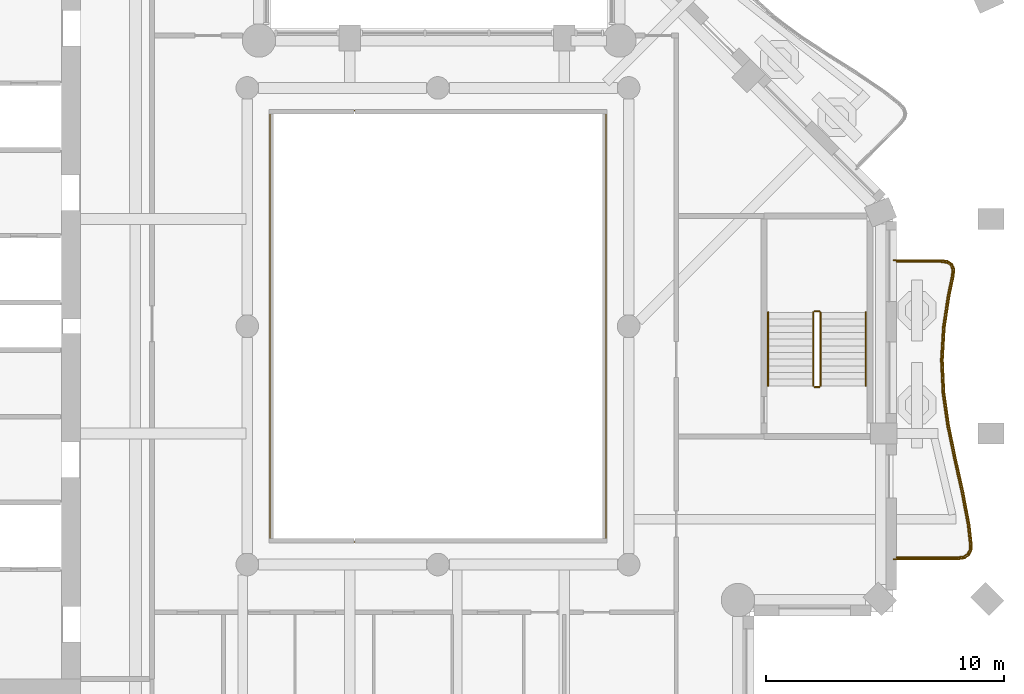
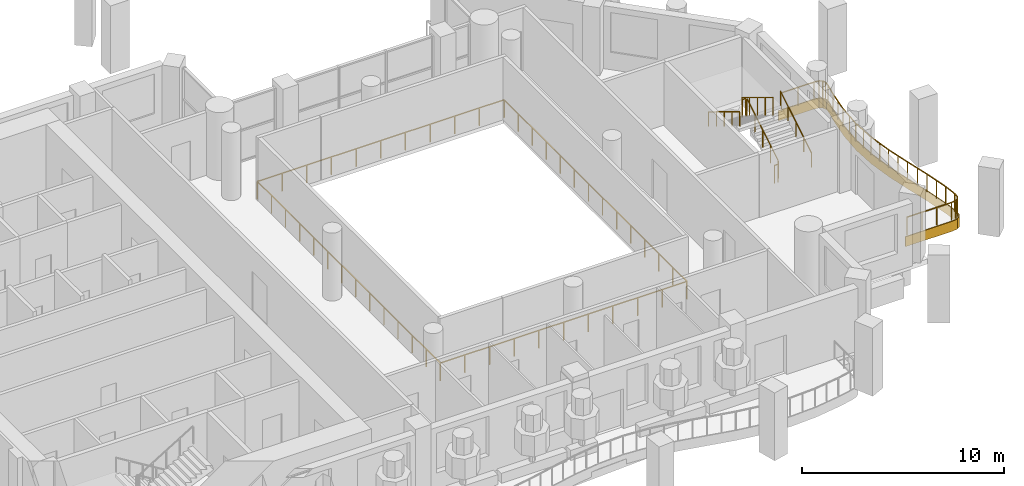
# One storey, part 13 of 16: 8 railings, 1 covering.
"""IFC4 building model written with IfcOpenShell, lengths in metres."""

from ifc_helpers import new_model, si_unit, direction, frame, origin, origin_2d, place, context, subcontext, project, spatial, polyline, rectangle, outline, extrude, material, layer, layer_set, type_object, element, save


model = new_model("IFC4")

# Units and contexts
model_context = context("Model", 3, precision=1e-05, world=origin(), true_north=direction((0.0, 1.0)))
body_context = subcontext(model_context, "Body", "Model", "MODEL_VIEW")
ifc_project = project(units=[si_unit("LENGTHUNIT", "METRE"), si_unit("AREAUNIT", "SQUARE_METRE"), si_unit("VOLUMEUNIT", "CUBIC_METRE"), si_unit("PLANEANGLEUNIT", "RADIAN"), si_unit("MASSUNIT", "GRAM", prefix="KILO")], contexts=[model_context])

# Site, building, storey
site_placement = place(None, origin())
site = spatial("IfcSite", under=ifc_project, at=site_placement, CompositionType="ELEMENT")
building_placement = place(site_placement, origin())
building = spatial("IfcBuilding", under=site, at=building_placement, Name="Cypress Arch Tower", CompositionType="ELEMENT")
storey_placement = place(building_placement, frame((0.0, 0.0, 172.800048828125)))
storey = spatial("IfcBuildingStorey", under=building, at=storey_placement, Name="L37", CompositionType="ELEMENT", Elevation=172.800048828125)

# Railing
ifc_material_1 = material(Name="Stainless steel posts and handrail, laminated glass infill", Category="steel")
railing_type_1 = type_object("IfcRailingType", Name="Atrium guard GR1100A", PredefinedType="GUARDRAIL", material=ifc_material_1)
railing_1_placement = place(storey_placement, frame((8.050048828125, -9.050048828125, 0.0)))
element("IfcRailing", 1, at=railing_1_placement, inside=storey, type_object=railing_type_1, Name="Atrium guard L37", PredefinedType="GUARDRAIL", context=body_context, shape_type="SweptSolid", body=[
    extrude(rectangle(XDim=0.050048828125, YDim=0.050048828125, at=origin_2d()), frame((0.0, 0.0, 1.0751953125), z_axis=(-1.0, 0.0, 0.0), x_axis=(0.0, -1.0, 0.0)), (0.0, 0.0, 1.0), 14.10009765625),
    extrude(rectangle(XDim=0.050048828125, YDim=0.050048828125, at=origin_2d()), frame((-14.10009765625, 0.0, 1.0751953125), z_axis=(0.0, 1.0, 0.0), x_axis=(-1.0, 0.0, 0.0)), (0.0, 0.0, 1.0), 18.10009765625),
    extrude(rectangle(XDim=0.050048828125, YDim=0.050048828125, at=origin_2d()), frame((-14.10009765625, 18.10009765625, 1.0751953125), z_axis=(1.0, 0.0, 0.0), x_axis=(0.0, 1.0, 0.0)), (0.0, 0.0, 1.0), 14.10009765625),
    extrude(rectangle(XDim=0.050048828125, YDim=0.050048828125, at=origin_2d()), frame((0.0, 18.10009765625, 1.0751953125), z_axis=(0.0, -1.0, 0.0), x_axis=(1.0, 0.0, 0.0)), (0.0, 0.0, 1.0), 18.10009765625),
    extrude(rectangle(XDim=0.050048828125, YDim=0.050048828125, at=origin_2d()), origin(), (0.0, 0.0, 1.0), 1.050048828125),
    extrude(rectangle(XDim=0.050048828125, YDim=0.050048828125, at=origin_2d()), frame((-1.409912109375, 0.0, 0.0)), (0.0, 0.0, 1.0), 1.050048828125),
    extrude(rectangle(XDim=0.050048828125, YDim=0.050048828125, at=origin_2d()), frame((-2.820068359375, 0.0, 0.0)), (0.0, 0.0, 1.0), 1.050048828125),
    extrude(rectangle(XDim=0.050048828125, YDim=0.050048828125, at=origin_2d()), frame((-4.22998046875, 0.0, 0.0)), (0.0, 0.0, 1.0), 1.050048828125),
    extrude(rectangle(XDim=0.050048828125, YDim=0.050048828125, at=origin_2d()), frame((-5.64013671875, 0.0, 0.0)), (0.0, 0.0, 1.0), 1.050048828125),
    extrude(rectangle(XDim=0.050048828125, YDim=0.050048828125, at=origin_2d()), frame((-7.050048828125, 0.0, 0.0)), (0.0, 0.0, 1.0), 1.050048828125),
    extrude(rectangle(XDim=0.050048828125, YDim=0.050048828125, at=origin_2d()), frame((-8.4599609375, 0.0, 0.0)), (0.0, 0.0, 1.0), 1.050048828125),
    extrude(rectangle(XDim=0.050048828125, YDim=0.050048828125, at=origin_2d()), frame((-9.8701171875, 0.0, 0.0)), (0.0, 0.0, 1.0), 1.050048828125),
    extrude(rectangle(XDim=0.050048828125, YDim=0.050048828125, at=origin_2d()), frame((-11.280029296875, 0.0, 0.0)), (0.0, 0.0, 1.0), 1.050048828125),
    extrude(rectangle(XDim=0.050048828125, YDim=0.050048828125, at=origin_2d()), frame((-12.690185546875, 0.0, 0.0)), (0.0, 0.0, 1.0), 1.050048828125),
    extrude(rectangle(XDim=0.050048828125, YDim=0.050048828125, at=origin_2d()), frame((-14.10009765625, 0.0, 0.0)), (0.0, 0.0, 1.0), 1.050048828125),
    extrude(rectangle(XDim=0.050048828125, YDim=0.050048828125, at=origin_2d()), frame((-14.10009765625, 1.392333984375, 0.0)), (0.0, 0.0, 1.0), 1.050048828125),
    extrude(rectangle(XDim=0.050048828125, YDim=0.050048828125, at=origin_2d()), frame((-14.10009765625, 2.78466796875, 0.0)), (0.0, 0.0, 1.0), 1.050048828125),
    extrude(rectangle(XDim=0.050048828125, YDim=0.050048828125, at=origin_2d()), frame((-14.10009765625, 4.177001953125, 0.0)), (0.0, 0.0, 1.0), 1.050048828125),
    extrude(rectangle(XDim=0.050048828125, YDim=0.050048828125, at=origin_2d()), frame((-14.10009765625, 5.5693359375, 0.0)), (0.0, 0.0, 1.0), 1.050048828125),
    extrude(rectangle(XDim=0.050048828125, YDim=0.050048828125, at=origin_2d()), frame((-14.10009765625, 6.961669921875, 0.0)), (0.0, 0.0, 1.0), 1.050048828125),
    extrude(rectangle(XDim=0.050048828125, YDim=0.050048828125, at=origin_2d()), frame((-14.10009765625, 8.35400390625, 0.0)), (0.0, 0.0, 1.0), 1.050048828125),
    extrude(rectangle(XDim=0.050048828125, YDim=0.050048828125, at=origin_2d()), frame((-14.10009765625, 9.74609375, 0.0)), (0.0, 0.0, 1.0), 1.050048828125),
    extrude(rectangle(XDim=0.050048828125, YDim=0.050048828125, at=origin_2d()), frame((-14.10009765625, 11.138427734375, 0.0)), (0.0, 0.0, 1.0), 1.050048828125),
    extrude(rectangle(XDim=0.050048828125, YDim=0.050048828125, at=origin_2d()), frame((-14.10009765625, 12.53076171875, 0.0)), (0.0, 0.0, 1.0), 1.050048828125),
    extrude(rectangle(XDim=0.050048828125, YDim=0.050048828125, at=origin_2d()), frame((-14.10009765625, 13.923095703125, 0.0)), (0.0, 0.0, 1.0), 1.050048828125),
    extrude(rectangle(XDim=0.050048828125, YDim=0.050048828125, at=origin_2d()), frame((-14.10009765625, 15.3154296875, 0.0)), (0.0, 0.0, 1.0), 1.050048828125),
    extrude(rectangle(XDim=0.050048828125, YDim=0.050048828125, at=origin_2d()), frame((-14.10009765625, 16.707763671875, 0.0)), (0.0, 0.0, 1.0), 1.050048828125),
    extrude(rectangle(XDim=0.050048828125, YDim=0.050048828125, at=origin_2d()), frame((-14.10009765625, 18.10009765625, 0.0)), (0.0, 0.0, 1.0), 1.050048828125),
    extrude(rectangle(XDim=0.050048828125, YDim=0.050048828125, at=origin_2d()), frame((-12.690185546875, 18.10009765625, 0.0)), (0.0, 0.0, 1.0), 1.050048828125),
    extrude(rectangle(XDim=0.050048828125, YDim=0.050048828125, at=origin_2d()), frame((-11.280029296875, 18.10009765625, 0.0)), (0.0, 0.0, 1.0), 1.050048828125),
    extrude(rectangle(XDim=0.050048828125, YDim=0.050048828125, at=origin_2d()), frame((-9.8701171875, 18.10009765625, 0.0)), (0.0, 0.0, 1.0), 1.050048828125),
    extrude(rectangle(XDim=0.050048828125, YDim=0.050048828125, at=origin_2d()), frame((-8.4599609375, 18.10009765625, 0.0)), (0.0, 0.0, 1.0), 1.050048828125),
    extrude(rectangle(XDim=0.050048828125, YDim=0.050048828125, at=origin_2d()), frame((-7.050048828125, 18.10009765625, 0.0)), (0.0, 0.0, 1.0), 1.050048828125),
    extrude(rectangle(XDim=0.050048828125, YDim=0.050048828125, at=origin_2d()), frame((-5.64013671875, 18.10009765625, 0.0)), (0.0, 0.0, 1.0), 1.050048828125),
    extrude(rectangle(XDim=0.050048828125, YDim=0.050048828125, at=origin_2d()), frame((-4.22998046875, 18.10009765625, 0.0)), (0.0, 0.0, 1.0), 1.050048828125),
    extrude(rectangle(XDim=0.050048828125, YDim=0.050048828125, at=origin_2d()), frame((-2.820068359375, 18.10009765625, 0.0)), (0.0, 0.0, 1.0), 1.050048828125),
    extrude(rectangle(XDim=0.050048828125, YDim=0.050048828125, at=origin_2d()), frame((-1.409912109375, 18.10009765625, 0.0)), (0.0, 0.0, 1.0), 1.050048828125),
    extrude(rectangle(XDim=0.050048828125, YDim=0.050048828125, at=origin_2d()), frame((0.0, 18.10009765625, 0.0)), (0.0, 0.0, 1.0), 1.050048828125),
    extrude(rectangle(XDim=0.050048828125, YDim=0.050048828125, at=origin_2d()), frame((0.0, 16.707763671875, 0.0)), (0.0, 0.0, 1.0), 1.050048828125),
    extrude(rectangle(XDim=0.050048828125, YDim=0.050048828125, at=origin_2d()), frame((0.0, 15.3154296875, 0.0)), (0.0, 0.0, 1.0), 1.050048828125),
    extrude(rectangle(XDim=0.050048828125, YDim=0.050048828125, at=origin_2d()), frame((0.0, 13.923095703125, 0.0)), (0.0, 0.0, 1.0), 1.050048828125),
    extrude(rectangle(XDim=0.050048828125, YDim=0.050048828125, at=origin_2d()), frame((0.0, 12.53076171875, 0.0)), (0.0, 0.0, 1.0), 1.050048828125),
    extrude(rectangle(XDim=0.050048828125, YDim=0.050048828125, at=origin_2d()), frame((0.0, 11.138427734375, 0.0)), (0.0, 0.0, 1.0), 1.050048828125),
    extrude(rectangle(XDim=0.050048828125, YDim=0.050048828125, at=origin_2d()), frame((0.0, 9.74609375, 0.0)), (0.0, 0.0, 1.0), 1.050048828125),
    extrude(rectangle(XDim=0.050048828125, YDim=0.050048828125, at=origin_2d()), frame((0.0, 8.35400390625, 0.0)), (0.0, 0.0, 1.0), 1.050048828125),
    extrude(rectangle(XDim=0.050048828125, YDim=0.050048828125, at=origin_2d()), frame((0.0, 6.961669921875, 0.0)), (0.0, 0.0, 1.0), 1.050048828125),
    extrude(rectangle(XDim=0.050048828125, YDim=0.050048828125, at=origin_2d()), frame((0.0, 5.5693359375, 0.0)), (0.0, 0.0, 1.0), 1.050048828125),
    extrude(rectangle(XDim=0.050048828125, YDim=0.050048828125, at=origin_2d()), frame((0.0, 4.177001953125, 0.0)), (0.0, 0.0, 1.0), 1.050048828125),
    extrude(rectangle(XDim=0.050048828125, YDim=0.050048828125, at=origin_2d()), frame((0.0, 2.78466796875, 0.0)), (0.0, 0.0, 1.0), 1.050048828125),
    extrude(rectangle(XDim=0.050048828125, YDim=0.050048828125, at=origin_2d()), frame((0.0, 1.392333984375, 0.0)), (0.0, 0.0, 1.0), 1.050048828125),
])

# Covering
ifc_material_2 = material(Name="White powder-coated aluminium fascia", Category="aluminium")
ifc_layer = layer(ifc_material_2, 0.050048828125)
ifc_layer_set = layer_set([ifc_layer], Name="Balcony fascia BF50")
covering_type = type_object("IfcCoveringType", Name="Balcony fascia BF50", PredefinedType="CLADDING", material=ifc_layer_set)
covering_placement = place(storey_placement, frame((0.0, 0.0, -0.60009765625)))
element("IfcCovering", 2, at=covering_placement, inside=storey, type_object=covering_type, Name="Balcony fascia L37-B04", PredefinedType="CLADDING", context=body_context, shape_type="SweptSolid", body=[
    extrude(outline(polyline([(22.1142578125, 2.800048828125), (22.400390625, 2.7587890625), (22.597412109375, 2.626708984375), (22.685546875, 2.406494140625), (22.66650390625, 2.1181640625), (22.503662109375, 1.35205078125), (22.2900390625, -0.033203125), (22.206787109375, -1.4169921875), (22.2724609375, -2.80078125), (22.472412109375, -4.185791015625), (22.760986328125, -5.57275390625), (23.07177734375, -6.962158203125), (23.3330078125, -8.353759765625), (23.41650390625, -9.123291015625), (23.40625, -9.410888671875), (23.298583984375, -9.62841796875), (23.09423828125, -9.7587890625), (22.80908203125, -9.800048828125), (20.10107421875, -9.800048828125), (20.10107421875, -9.75), (22.805419921875, -9.75), (23.076416015625, -9.7109375), (23.260009765625, -9.59375), (23.356689453125, -9.3984375), (23.366455078125, -9.125), (23.283447265625, -8.361083984375), (23.022705078125, -6.97216796875), (22.712158203125, -5.583251953125), (22.42333984375, -4.1943359375), (22.22265625, -2.8056640625), (22.156494140625, -1.416748046875), (22.240234375, -0.02783203125), (22.454345703125, 1.361083984375), (22.616943359375, 2.125), (22.635009765625, 2.3984375), (22.556640625, 2.59375), (22.382080078125, 2.7109375), (22.11083984375, 2.75), (20.10107421875, 2.75), (20.10107421875, 2.800048828125), (22.1142578125, 2.800048828125)])), origin(), (0.0, 0.0, 1.0), 0.60009765625),
])

# Railings
ifc_material_3 = material(Name="Powder-coated steel posts and rods, 100 mm clear between rods", Category="steel")
railing_type_2 = type_object("IfcRailingType", Name="Balcony guard GR1100", PredefinedType="GUARDRAIL", material=ifc_material_3)
railing_2_placement = place(storey_placement, frame((20.25, 2.699951171875, 0.0)))
element("IfcRailing", 3, at=railing_2_placement, inside=storey, type_object=railing_type_2, Name="Balcony guard L37-B04", PredefinedType="GUARDRAIL", context=body_context, shape_type="SweptSolid", body=[
    extrude(rectangle(XDim=0.050048828125, YDim=0.050048828125, at=origin_2d()), frame((0.0, 0.0, 1.0751953125), z_axis=(1.0, 0.0, 0.0), x_axis=(0.0, 1.0, 0.0)), (0.0, 0.0, 1.0), 1.857177734375),
    extrude(rectangle(XDim=0.050048828125, YDim=0.050048828125, at=origin_2d()), frame((1.857177734375, 0.0, 1.0751953125), z_axis=(0.989817086987, -0.142345123938, 0.0), x_axis=(0.142345123938, 0.989817086987, 0.0)), (0.0, 0.0, 1.0), 0.259033203125),
    extrude(rectangle(XDim=0.050048828125, YDim=0.050048828125, at=origin_2d()), frame((2.113525390625, -0.036865234375, 1.0751953125), z_axis=(0.830616308964, -0.556845173529, 0.0), x_axis=(0.556845173529, 0.830616308964, 0.0)), (0.0, 0.0, 1.0), 0.18359375),
    extrude(rectangle(XDim=0.050048828125, YDim=0.050048828125, at=origin_2d()), frame((2.26611328125, -0.13916015625, 1.0751953125), z_axis=(0.372307508784, -0.928109432612, 0.0), x_axis=(0.928109432612, 0.372307508784, 0.0)), (0.0, 0.0, 1.0), 0.18359375),
    extrude(rectangle(XDim=0.050048828125, YDim=0.050048828125, at=origin_2d()), frame((2.33447265625, -0.3095703125, 1.0751953125), z_axis=(-0.066894207032, -0.997760073898, 0.0), x_axis=(0.997760073898, -0.066894207032, 0.0)), (0.0, 0.0, 1.0), 0.259033203125),
    extrude(rectangle(XDim=0.050048828125, YDim=0.050048828125, at=origin_2d()), frame((2.317138671875, -0.568115234375, 1.0751953125), z_axis=(-0.20785875582, -0.978158850918, 0.0), x_axis=(0.978158850918, -0.20785875582, 0.0)), (0.0, 0.0, 1.0), 0.77880859375),
    extrude(rectangle(XDim=0.050048828125, YDim=0.050048828125, at=origin_2d()), frame((2.1552734375, -1.329833984375, 1.0751953125), z_axis=(-0.152473809635, -0.988307511545, 0.0), x_axis=(0.988307511545, -0.152473809635, 0.0)), (0.0, 0.0, 1.0), 1.408935546875),
    extrude(rectangle(XDim=0.050048828125, YDim=0.050048828125, at=origin_2d()), frame((1.9404296875, -2.722412109375, 1.0751953125), z_axis=(-0.060146646654, -0.998189551586, 0.0), x_axis=(0.998189551586, -0.060146646654, 0.0)), (0.0, 0.0, 1.0), 1.396240234375),
    extrude(rectangle(XDim=0.050048828125, YDim=0.050048828125, at=origin_2d()), frame((1.8564453125, -4.1162109375, 1.0751953125), z_axis=(0.047581772, -0.998867346034, 0.0), x_axis=(0.998867346034, 0.047581772, 0.0)), (0.0, 0.0, 1.0), 1.3955078125),
    extrude(rectangle(XDim=0.050048828125, YDim=0.050048828125, at=origin_2d()), frame((1.9228515625, -5.51025390625, 1.0751953125), z_axis=(0.142951321595, -0.989729720507, 0.0), x_axis=(0.989729720507, 0.142951321595, 0.0)), (0.0, 0.0, 1.0), 1.4072265625),
    extrude(rectangle(XDim=0.050048828125, YDim=0.050048828125, at=origin_2d()), frame((2.1240234375, -6.903076171875, 1.0751953125), z_axis=(0.203645423844, -0.979044708554, 0.0), x_axis=(0.979044708554, 0.203645423844, 0.0)), (0.0, 0.0, 1.0), 1.420654296875),
    extrude(rectangle(XDim=0.050048828125, YDim=0.050048828125, at=origin_2d()), frame((2.413330078125, -8.2939453125, 1.0751953125), z_axis=(0.218147886849, -0.975915723545, 0.0), x_axis=(0.975915723545, 0.218147886849, 0.0)), (0.0, 0.0, 1.0), 1.42236328125),
    extrude(rectangle(XDim=0.050048828125, YDim=0.050048828125, at=origin_2d()), frame((2.7236328125, -9.68212890625, 1.0751953125), z_axis=(0.184518451403, -0.98282904978, 0.0), x_axis=(0.98282904978, 0.184518451403, 0.0)), (0.0, 0.0, 1.0), 1.410400390625),
    extrude(rectangle(XDim=0.050048828125, YDim=0.050048828125, at=origin_2d()), frame((2.98388671875, -11.068359375, 1.0751953125), z_axis=(0.107866623042, -0.994165374389, 0.0), x_axis=(0.994165374389, 0.107866623042, 0.0)), (0.0, 0.0, 1.0), 0.7626953125),
    extrude(rectangle(XDim=0.050048828125, YDim=0.050048828125, at=origin_2d()), frame((3.066162109375, -11.82666015625, 1.0751953125), z_axis=(-0.034818799196, -0.999393641776, 0.0), x_axis=(0.999393641776, -0.034818799196, 0.0)), (0.0, 0.0, 1.0), 0.259521484375),
    extrude(rectangle(XDim=0.050048828125, YDim=0.050048828125, at=origin_2d()), frame((3.05712890625, -12.0859375, 1.0751953125), z_axis=(-0.443670839711, -0.896189815826, 0.0), x_axis=(0.896189815826, -0.443670839711, 0.0)), (0.0, 0.0, 1.0), 0.193115234375),
    extrude(rectangle(XDim=0.050048828125, YDim=0.050048828125, at=origin_2d()), frame((2.971435546875, -12.259033203125, 1.0751953125), z_axis=(-0.842775870424, -0.538264648877, 0.0), x_axis=(0.538264648877, -0.842775870424, 0.0)), (0.0, 0.0, 1.0), 0.193115234375),
    extrude(rectangle(XDim=0.050048828125, YDim=0.050048828125, at=origin_2d()), frame((2.80859375, -12.363037109375, 1.0751953125), z_axis=(-0.989836161054, -0.142212426564, 0.0), x_axis=(0.142212426564, -0.989836161054, 0.0)), (0.0, 0.0, 1.0), 0.25927734375),
    extrude(rectangle(XDim=0.050048828125, YDim=0.050048828125, at=origin_2d()), frame((2.552001953125, -12.39990234375, 1.0751953125), z_axis=(-1.0, 0.0, 0.0), x_axis=(0.0, -1.0, 0.0)), (0.0, 0.0, 1.0), 2.552001953125),
    extrude(rectangle(XDim=0.0400390625, YDim=0.0400390625, at=origin_2d()), origin(), (0.0, 0.0, 1.0), 1.050048828125),
    extrude(rectangle(XDim=0.0400390625, YDim=0.0400390625, at=origin_2d()), frame((0.9287109375, 0.0, 0.0)), (0.0, 0.0, 1.0), 1.050048828125),
    extrude(rectangle(XDim=0.0400390625, YDim=0.0400390625, at=origin_2d()), frame((1.857177734375, 0.0, 0.0)), (0.0, 0.0, 1.0), 1.050048828125),
    extrude(rectangle(XDim=0.0400390625, YDim=0.0400390625, at=origin_2d()), frame((2.113525390625, -0.036865234375, 0.0)), (0.0, 0.0, 1.0), 1.050048828125),
    extrude(rectangle(XDim=0.0400390625, YDim=0.0400390625, at=origin_2d()), frame((2.26611328125, -0.13916015625, 0.0)), (0.0, 0.0, 1.0), 1.050048828125),
    extrude(rectangle(XDim=0.0400390625, YDim=0.0400390625, at=origin_2d()), frame((2.33447265625, -0.3095703125, 0.0)), (0.0, 0.0, 1.0), 1.050048828125),
    extrude(rectangle(XDim=0.0400390625, YDim=0.0400390625, at=origin_2d()), frame((2.317138671875, -0.568115234375, 0.0)), (0.0, 0.0, 1.0), 1.050048828125),
    extrude(rectangle(XDim=0.0400390625, YDim=0.0400390625, at=origin_2d()), frame((2.1552734375, -1.329833984375, 0.0)), (0.0, 0.0, 1.0), 1.050048828125),
    extrude(rectangle(XDim=0.0400390625, YDim=0.0400390625, at=origin_2d()), frame((2.0478515625, -2.026123046875, 0.0)), (0.0, 0.0, 1.0), 1.050048828125),
    extrude(rectangle(XDim=0.0400390625, YDim=0.0400390625, at=origin_2d()), frame((1.9404296875, -2.722412109375, 0.0)), (0.0, 0.0, 1.0), 1.050048828125),
    extrude(rectangle(XDim=0.0400390625, YDim=0.0400390625, at=origin_2d()), frame((1.8984375, -3.41943359375, 0.0)), (0.0, 0.0, 1.0), 1.050048828125),
    extrude(rectangle(XDim=0.0400390625, YDim=0.0400390625, at=origin_2d()), frame((1.8564453125, -4.1162109375, 0.0)), (0.0, 0.0, 1.0), 1.050048828125),
    extrude(rectangle(XDim=0.0400390625, YDim=0.0400390625, at=origin_2d()), frame((1.8896484375, -4.813232421875, 0.0)), (0.0, 0.0, 1.0), 1.050048828125),
    extrude(rectangle(XDim=0.0400390625, YDim=0.0400390625, at=origin_2d()), frame((1.9228515625, -5.51025390625, 0.0)), (0.0, 0.0, 1.0), 1.050048828125),
    extrude(rectangle(XDim=0.0400390625, YDim=0.0400390625, at=origin_2d()), frame((2.0234375, -6.20654296875, 0.0)), (0.0, 0.0, 1.0), 1.050048828125),
    extrude(rectangle(XDim=0.0400390625, YDim=0.0400390625, at=origin_2d()), frame((2.1240234375, -6.903076171875, 0.0)), (0.0, 0.0, 1.0), 1.050048828125),
    extrude(rectangle(XDim=0.0400390625, YDim=0.0400390625, at=origin_2d()), frame((2.2685546875, -7.5986328125, 0.0)), (0.0, 0.0, 1.0), 1.050048828125),
    extrude(rectangle(XDim=0.0400390625, YDim=0.0400390625, at=origin_2d()), frame((2.413330078125, -8.2939453125, 0.0)), (0.0, 0.0, 1.0), 1.050048828125),
    extrude(rectangle(XDim=0.0400390625, YDim=0.0400390625, at=origin_2d()), frame((2.568359375, -8.988037109375, 0.0)), (0.0, 0.0, 1.0), 1.050048828125),
    extrude(rectangle(XDim=0.0400390625, YDim=0.0400390625, at=origin_2d()), frame((2.7236328125, -9.68212890625, 0.0)), (0.0, 0.0, 1.0), 1.050048828125),
    extrude(rectangle(XDim=0.0400390625, YDim=0.0400390625, at=origin_2d()), frame((2.853759765625, -10.375244140625, 0.0)), (0.0, 0.0, 1.0), 1.050048828125),
    extrude(rectangle(XDim=0.0400390625, YDim=0.0400390625, at=origin_2d()), frame((2.98388671875, -11.068359375, 0.0)), (0.0, 0.0, 1.0), 1.050048828125),
    extrude(rectangle(XDim=0.0400390625, YDim=0.0400390625, at=origin_2d()), frame((3.066162109375, -11.82666015625, 0.0)), (0.0, 0.0, 1.0), 1.050048828125),
    extrude(rectangle(XDim=0.0400390625, YDim=0.0400390625, at=origin_2d()), frame((3.05712890625, -12.0859375, 0.0)), (0.0, 0.0, 1.0), 1.050048828125),
    extrude(rectangle(XDim=0.0400390625, YDim=0.0400390625, at=origin_2d()), frame((2.971435546875, -12.259033203125, 0.0)), (0.0, 0.0, 1.0), 1.050048828125),
    extrude(rectangle(XDim=0.0400390625, YDim=0.0400390625, at=origin_2d()), frame((2.80859375, -12.363037109375, 0.0)), (0.0, 0.0, 1.0), 1.050048828125),
    extrude(rectangle(XDim=0.0400390625, YDim=0.0400390625, at=origin_2d()), frame((2.552001953125, -12.39990234375, 0.0)), (0.0, 0.0, 1.0), 1.050048828125),
    extrude(rectangle(XDim=0.0400390625, YDim=0.0400390625, at=origin_2d()), frame((1.701416015625, -12.39990234375, 0.0)), (0.0, 0.0, 1.0), 1.050048828125),
    extrude(rectangle(XDim=0.0400390625, YDim=0.0400390625, at=origin_2d()), frame((0.8505859375, -12.39990234375, 0.0)), (0.0, 0.0, 1.0), 1.050048828125),
    extrude(rectangle(XDim=0.0400390625, YDim=0.0400390625, at=origin_2d()), frame((0.0, -12.39990234375, 0.0)), (0.0, 0.0, 1.0), 1.050048828125),
])
ifc_material_4 = material(Name="Black powder-coated steel square bar 48 mm", Category="steel")
railing_type_3 = type_object("IfcRailingType", Name="Stair handrail HR1", PredefinedType="HANDRAIL", material=ifc_material_4)
railing_3_placement = place(storey_placement, frame((18.949951171875, -2.5, 0.1708984375)))
element("IfcRailing", 4, at=railing_3_placement, inside=storey, type_object=railing_type_3, Name="L37 C stair handrail 1", PredefinedType="HANDRAIL", context=body_context, shape_type="SweptSolid", body=[
    extrude(rectangle(XDim=0.048095703125, YDim=0.048095703125, at=origin_2d()), frame((0.0, 0.0, 0.8759765625), z_axis=(0.0, 0.853666305674, 0.52082035152), x_axis=(-1.0, 0.0, 0.0)), (0.0, 0.0, 1.0), 3.608154296875),
    extrude(rectangle(XDim=0.0419921875, YDim=0.0419921875, at=origin_2d()), origin(), (0.0, 0.0, 1.0), 0.851806640625),
    extrude(rectangle(XDim=0.0419921875, YDim=0.0419921875, at=origin_2d()), frame((0.0, 0.77001953125, 0.4697265625)), (0.0, 0.0, 1.0), 0.851806640625),
    extrude(rectangle(XDim=0.0419921875, YDim=0.0419921875, at=origin_2d()), frame((0.0, 1.5400390625, 0.939453125)), (0.0, 0.0, 1.0), 0.851806640625),
    extrude(rectangle(XDim=0.0419921875, YDim=0.0419921875, at=origin_2d()), frame((0.0, 2.31005859375, 1.409423828125)), (0.0, 0.0, 1.0), 0.851806640625),
    extrude(rectangle(XDim=0.0419921875, YDim=0.0419921875, at=origin_2d()), frame((0.0, 3.080078125, 1.879150390625)), (0.0, 0.0, 1.0), 0.851806640625),
])
railing_4_placement = place(storey_placement, frame((14.85009765625, 0.580078125, 2.220703125)))
element("IfcRailing", 5, at=railing_4_placement, inside=storey, type_object=railing_type_3, Name="L37 C stair handrail 2", PredefinedType="HANDRAIL", context=body_context, shape_type="SweptSolid", body=[
    extrude(rectangle(XDim=0.048095703125, YDim=0.048095703125, at=origin_2d()), frame((0.0, 0.0, 0.8759765625), z_axis=(0.0, -0.853666305674, 0.52082035152), x_axis=(1.0, 0.0, 0.0)), (0.0, 0.0, 1.0), 3.608154296875),
    extrude(rectangle(XDim=0.0419921875, YDim=0.0419921875, at=origin_2d()), origin(), (0.0, 0.0, 1.0), 0.851806640625),
    extrude(rectangle(XDim=0.0419921875, YDim=0.0419921875, at=origin_2d()), frame((0.0, -0.77001953125, 0.4697265625)), (0.0, 0.0, 1.0), 0.851806640625),
    extrude(rectangle(XDim=0.0419921875, YDim=0.0419921875, at=origin_2d()), frame((0.0, -1.5400390625, 0.939453125)), (0.0, 0.0, 1.0), 0.851806640625),
    extrude(rectangle(XDim=0.0419921875, YDim=0.0419921875, at=origin_2d()), frame((0.0, -2.31005859375, 1.409423828125)), (0.0, 0.0, 1.0), 0.851806640625),
    extrude(rectangle(XDim=0.0419921875, YDim=0.0419921875, at=origin_2d()), frame((0.0, -3.080078125, 1.879150390625)), (0.0, 0.0, 1.0), 0.851806640625),
])
ifc_material_5 = material(Name="Black powder-coated steel balusters", Category="steel")
railing_type_4 = type_object("IfcRailingType", Name="Stair well guard G1", PredefinedType="GUARDRAIL", material=ifc_material_5)
railing_5_placement = place(storey_placement, frame((17.050048828125, -2.5, 0.1708984375)))
element("IfcRailing", 6, at=railing_5_placement, inside=storey, type_object=railing_type_4, Name="L37 C stair guard 1", PredefinedType="GUARDRAIL", context=body_context, shape_type="SweptSolid", body=[
    extrude(rectangle(XDim=0.048095703125, YDim=0.048095703125, at=origin_2d()), frame((0.0, 0.0, 1.076171875), z_axis=(0.0, 0.853666305674, 0.52082035152), x_axis=(-1.0, 0.0, 0.0)), (0.0, 0.0, 1.0), 3.608154296875),
    extrude(rectangle(XDim=0.0419921875, YDim=0.0419921875, at=origin_2d()), origin(), (0.0, 0.0, 1.0), 1.052001953125),
    extrude(rectangle(XDim=0.0419921875, YDim=0.0419921875, at=origin_2d()), frame((0.0, 0.77001953125, 0.4697265625)), (0.0, 0.0, 1.0), 1.052001953125),
    extrude(rectangle(XDim=0.0419921875, YDim=0.0419921875, at=origin_2d()), frame((0.0, 1.5400390625, 0.939453125)), (0.0, 0.0, 1.0), 1.052001953125),
    extrude(rectangle(XDim=0.0419921875, YDim=0.0419921875, at=origin_2d()), frame((0.0, 2.31005859375, 1.409423828125)), (0.0, 0.0, 1.0), 1.052001953125),
    extrude(rectangle(XDim=0.0419921875, YDim=0.0419921875, at=origin_2d()), frame((0.0, 3.080078125, 1.879150390625)), (0.0, 0.0, 1.0), 1.052001953125),
])
railing_6_placement = place(storey_placement, frame((17.0, 0.6298828125, 2.050048828125)))
element("IfcRailing", 7, at=railing_6_placement, inside=storey, type_object=railing_type_4, Name="L37 C stair guard 2", PredefinedType="GUARDRAIL", context=body_context, shape_type="SweptSolid", body=[
    extrude(rectangle(XDim=0.048095703125, YDim=0.048095703125, at=origin_2d()), frame((0.0, 0.0, 1.076171875), z_axis=(-1.0, 0.0, 0.0), x_axis=(0.0, -1.0, 0.0)), (0.0, 0.0, 1.0), 0.199951171875),
    extrude(rectangle(XDim=0.0419921875, YDim=0.0419921875, at=origin_2d()), origin(), (0.0, 0.0, 1.0), 1.052001953125),
    extrude(rectangle(XDim=0.0419921875, YDim=0.0419921875, at=origin_2d()), frame((-0.199951171875, 0.0, 0.0)), (0.0, 0.0, 1.0), 1.052001953125),
])
railing_7_placement = place(storey_placement, frame((16.75, 0.580078125, 2.220703125)))
element("IfcRailing", 8, at=railing_7_placement, inside=storey, type_object=railing_type_4, Name="L37 C stair guard 3", PredefinedType="GUARDRAIL", context=body_context, shape_type="SweptSolid", body=[
    extrude(rectangle(XDim=0.048095703125, YDim=0.048095703125, at=origin_2d()), frame((0.0, 0.0, 1.076171875), z_axis=(0.0, -0.853666305674, 0.52082035152), x_axis=(1.0, 0.0, 0.0)), (0.0, 0.0, 1.0), 3.608154296875),
    extrude(rectangle(XDim=0.0419921875, YDim=0.0419921875, at=origin_2d()), origin(), (0.0, 0.0, 1.0), 1.052001953125),
    extrude(rectangle(XDim=0.0419921875, YDim=0.0419921875, at=origin_2d()), frame((0.0, -0.77001953125, 0.4697265625)), (0.0, 0.0, 1.0), 1.052001953125),
    extrude(rectangle(XDim=0.0419921875, YDim=0.0419921875, at=origin_2d()), frame((0.0, -1.5400390625, 0.939453125)), (0.0, 0.0, 1.0), 1.052001953125),
    extrude(rectangle(XDim=0.0419921875, YDim=0.0419921875, at=origin_2d()), frame((0.0, -2.31005859375, 1.409423828125)), (0.0, 0.0, 1.0), 1.052001953125),
    extrude(rectangle(XDim=0.0419921875, YDim=0.0419921875, at=origin_2d()), frame((0.0, -3.080078125, 1.879150390625)), (0.0, 0.0, 1.0), 1.052001953125),
])
railing_8_placement = place(storey_placement, frame((17.0, -2.550048828125, 0.0)))
element("IfcRailing", 9, at=railing_8_placement, inside=storey, type_object=railing_type_4, Name="L37 C stair guard 4", PredefinedType="GUARDRAIL", context=body_context, shape_type="SweptSolid", body=[
    extrude(rectangle(XDim=0.048095703125, YDim=0.048095703125, at=origin_2d()), frame((0.0, 0.0, 1.076171875), z_axis=(-1.0, 0.0, 0.0), x_axis=(0.0, -1.0, 0.0)), (0.0, 0.0, 1.0), 0.199951171875),
    extrude(rectangle(XDim=0.0419921875, YDim=0.0419921875, at=origin_2d()), origin(), (0.0, 0.0, 1.0), 1.052001953125),
    extrude(rectangle(XDim=0.0419921875, YDim=0.0419921875, at=origin_2d()), frame((-0.199951171875, 0.0, 0.0)), (0.0, 0.0, 1.0), 1.052001953125),
])

save(model, "model.ifc")
